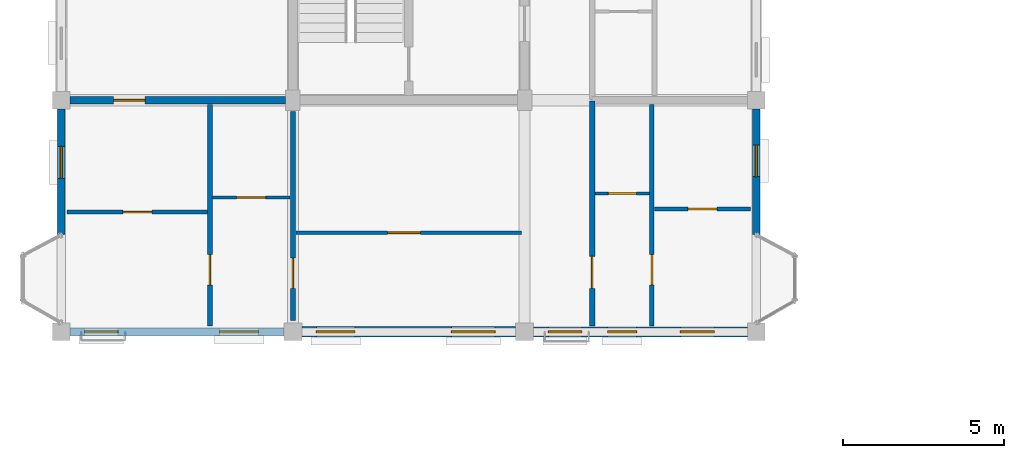
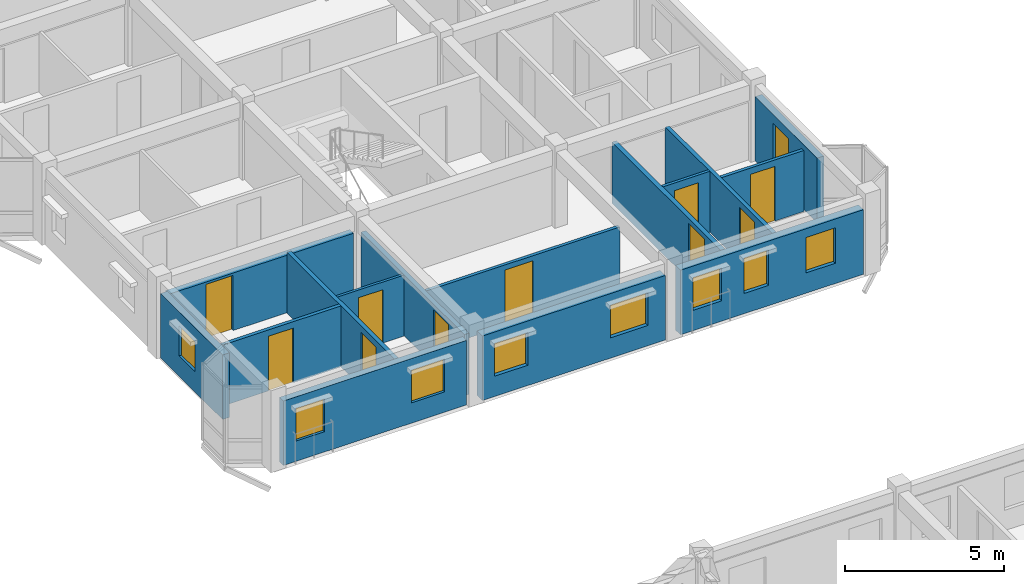
# One storey, part 50 of 75: 15 walls, 10 doors, 9 windows, 19 openings.
"""IFC4 building model written with IfcOpenShell, lengths in metres."""

from ifc_helpers import new_model, si_unit, direction, frame, frame_2d, origin, place, context, subcontext, project, spatial, rectangle, extrude, material, layer, layer_set, type_object, element, fill, save


model = new_model("IFC4")

# Units and contexts
model_context = context("Model", 3, precision=1e-05, world=origin(), true_north=direction((0.0, 1.0)))
body_context = subcontext(model_context, "Body", "Model", "MODEL_VIEW")
ifc_project = project(units=[si_unit("LENGTHUNIT", "METRE"), si_unit("AREAUNIT", "SQUARE_METRE"), si_unit("VOLUMEUNIT", "CUBIC_METRE"), si_unit("PLANEANGLEUNIT", "RADIAN"), si_unit("MASSUNIT", "GRAM", prefix="KILO"), si_unit("THERMODYNAMICTEMPERATUREUNIT", "KELVIN"), si_unit("POWERUNIT", "WATT")], contexts=[model_context])

# Site, building, storey
site_placement = place(None, origin())
site = spatial("IfcSite", under=ifc_project, at=site_placement, CompositionType="ELEMENT")
building_placement = place(site_placement, origin())
building = spatial("IfcBuilding", under=site, at=building_placement, Name="Tavuni Mirador Residences", CompositionType="ELEMENT")
storey_placement = place(building_placement, frame((0.0, 0.0, 20.25)))
storey = spatial("IfcBuildingStorey", under=building, at=storey_placement, Name="L06", CompositionType="ELEMENT", Elevation=20.25)

# Wall, opening, door
ifc_material_1 = material(Name="Precast concrete C40/50", Category="concrete")
ifc_layer_1 = layer(ifc_material_1, 0.1650390625, Name="Precast concrete C40/50", Category="concrete")
ifc_layer_set_1 = layer_set([ifc_layer_1], Name="Precast concrete C40/50")
wall_type_1 = type_object("IfcWallType", Name="WT-CORR165", PredefinedType="PARTITIONING", material=ifc_layer_set_1)
wall_1_placement = place(storey_placement, frame((20.10009765625, 64.97509765625, 0.0), z_axis=(0.0, 0.0, 1.0), x_axis=(0.0, 1.0, 0.0)))
wall_1 = element("IfcWall", 1, at=wall_1_placement, inside=storey, type_object=wall_type_1, Name="CORW-BLK-B-L06-0-00", PredefinedType="PARTITIONING", context=body_context, shape_type="SweptSolid", body=[
    extrude(rectangle(XDim=7.0048828125, YDim=0.1650390625, at=frame_2d((3.50244140625, 0.0))), origin(), (0.0, 0.0, 1.0), 2.344970703125),
])
opening_1_placement = place(wall_1_placement, frame((1.175048828125, 0.0, 0.0)))
opening_1 = element("IfcOpeningElement", 2, at=opening_1_placement, cuts=wall_1, Name="Opening D-03", PredefinedType="OPENING", context=body_context, shape_type="SweptSolid", body=[
    extrude(rectangle(XDim=1.0, YDim=2.14990234375, at=frame_2d((0.5, 1.074951171875))), frame((0.0, 0.092529296875, 0.0), z_axis=(0.0, -1.0, 0.0), x_axis=(1.0, 0.0, 0.0)), (0.0, 0.0, 1.0), 0.18505859375),
])
ifc_material_2 = material(Name="Solid core iroko timber", Category="wood")
door_type_1 = type_object("IfcDoorType", Name="DT-FD60-1000", OperationType="NOTDEFINED", PredefinedType="DOOR", material=ifc_material_2)
door_1_placement = place(opening_1_placement, origin())
door_1 = element("IfcDoor", 3, at=door_1_placement, inside=storey, type_object=door_type_1, Name="DR-2577", OperationType="SINGLE_SWING_RIGHT", OverallHeight=2.14990234375, OverallWidth=1.0, PredefinedType="DOOR", context=body_context, shape_type="SweptSolid", body=[
    extrude(rectangle(XDim=1.0, YDim=2.14990234375, at=frame_2d((0.5, 1.074951171875))), frame((0.0, 0.02490234375, 0.0), z_axis=(0.0, -1.0, 0.0), x_axis=(1.0, 0.0, 0.0)), (0.0, 0.0, 1.0), 0.050048828125),
])
fill(opening_1, door_1)

wall_2_placement = place(storey_placement, frame((10.800048828125, 65.14990234375, 0.0), z_axis=(0.0, 0.0, 1.0), x_axis=(0.0, 1.0, 0.0)))
wall_2 = element("IfcWall", 4, at=wall_2_placement, inside=storey, type_object=wall_type_1, Name="CORW-BLK-B-L06-1-00", PredefinedType="PARTITIONING", context=body_context, shape_type="SweptSolid", body=[
    extrude(rectangle(XDim=6.5, YDim=0.1650390625, at=frame_2d((3.25, 0.0))), origin(), (0.0, 0.0, 1.0), 2.344970703125),
])
opening_2_placement = place(wall_2_placement, frame((1.0, 0.0, 0.0)))
opening_2 = element("IfcOpeningElement", 5, at=opening_2_placement, cuts=wall_2, Name="Opening D-19", PredefinedType="OPENING", context=body_context, shape_type="SweptSolid", body=[
    extrude(rectangle(XDim=0.93994140625, YDim=2.1201171875, at=frame_2d((0.469970703125, 1.06005859375))), frame((0.0, 0.092529296875, 0.0), z_axis=(0.0, -1.0, 0.0), x_axis=(1.0, 0.0, 0.0)), (0.0, 0.0, 1.0), 0.18505859375),
])
door_type_2 = type_object("IfcDoorType", Name="DT-FD60-940", OperationType="NOTDEFINED", PredefinedType="DOOR", material=ifc_material_2)
door_2_placement = place(opening_2_placement, origin())
door_2 = element("IfcDoor", 6, at=door_2_placement, inside=storey, type_object=door_type_2, Name="DR-2581", OperationType="SINGLE_SWING_RIGHT", OverallHeight=2.1201171875, OverallWidth=0.93994140625, PredefinedType="DOOR", context=body_context, shape_type="SweptSolid", body=[
    extrude(rectangle(XDim=0.93994140625, YDim=2.1201171875, at=frame_2d((0.469970703125, 1.06005859375))), frame((0.0, 0.02490234375, 0.0), z_axis=(0.0, -1.0, 0.0), x_axis=(1.0, 0.0, 0.0)), (0.0, 0.0, 1.0), 0.050048828125),
])
fill(opening_2, door_2)

# Wall, openings, windows
ifc_layer_2 = layer(ifc_material_1, 0.330078125, Name="Precast concrete C40/50", Category="concrete")
ifc_layer_set_2 = layer_set([ifc_layer_2], Name="Precast concrete C40/50")
wall_type_2 = type_object("IfcWallType", Name="WT-EXT-COR330", PredefinedType="SOLIDWALL", material=ifc_layer_set_2)
wall_3_placement = place(storey_placement, frame((11.074951171875, 64.800048828125, 0.0), z_axis=(0.0, 0.0, 1.0), x_axis=(1.0, 0.0, 0.0)))
wall_3 = element("IfcWall", 7, at=wall_3_placement, inside=storey, type_object=wall_type_2, Name="EW-BLK-B-L06-S01", PredefinedType="SOLIDWALL", context=body_context, shape_type="SweptSolid", body=[
    extrude(rectangle(XDim=6.650146484375, YDim=0.330078125, at=frame_2d((3.3251953125, 0.0))), origin(), (0.0, 0.0, 1.0), 2.47998046875),
])
opening_3_placement = place(wall_3_placement, frame((0.449951171875, 0.0, 0.780029296875)))
opening_3 = element("IfcOpeningElement", 8, at=opening_3_placement, cuts=wall_3, Name="Opening WN-13", PredefinedType="OPENING", context=body_context, shape_type="SweptSolid", body=[
    extrude(rectangle(XDim=1.199951171875, YDim=1.260009765625, at=frame_2d((0.60009765625, 0.6298828125))), frame((0.0, 0.175048828125, 0.0), z_axis=(0.0, -1.0, 0.0), x_axis=(1.0, 0.0, 0.0)), (0.0, 0.0, 1.0), 0.35009765625),
])
opening_4_placement = place(wall_3_placement, frame((4.64990234375, 0.0, 0.780029296875)))
opening_4 = element("IfcOpeningElement", 9, at=opening_4_placement, cuts=wall_3, Name="Opening WN-15", PredefinedType="OPENING", context=body_context, shape_type="SweptSolid", body=[
    extrude(rectangle(XDim=1.360107421875, YDim=1.260009765625, at=frame_2d((0.68017578125, 0.6298828125))), frame((0.0, 0.175048828125, 0.0), z_axis=(0.0, -1.0, 0.0), x_axis=(1.0, 0.0, 0.0)), (0.0, 0.0, 1.0), 0.35009765625),
])
ifc_material_3 = material(Name="Laminated solar-control glass", Category="glass")
window_type_1 = type_object("IfcWindowType", Name="WNT-13", PartitioningType="SINGLE_PANEL", PredefinedType="WINDOW", material=ifc_material_3)
window_1_placement = place(opening_3_placement, origin())
window_1 = element("IfcWindow", 10, at=window_1_placement, inside=storey, type_object=window_type_1, Name="WIN-0726", OverallHeight=1.260009765625, OverallWidth=1.199951171875, PartitioningType="SINGLE_PANEL", PredefinedType="WINDOW", context=body_context, shape_type="SweptSolid", body=[
    extrude(rectangle(XDim=1.199951171875, YDim=1.260009765625, at=frame_2d((0.60009765625, 0.6298828125))), frame((0.0, 0.030029296875, 0.0), z_axis=(0.0, -1.0, 0.0), x_axis=(1.0, 0.0, 0.0)), (0.0, 0.0, 1.0), 0.06005859375),
])
fill(opening_3, window_1)
window_type_2 = type_object("IfcWindowType", Name="WNT-15", PartitioningType="SINGLE_PANEL", PredefinedType="WINDOW", material=ifc_material_3)
window_2_placement = place(opening_4_placement, origin())
window_2 = element("IfcWindow", 11, at=window_2_placement, inside=storey, type_object=window_type_2, Name="WIN-0727", OverallHeight=1.260009765625, OverallWidth=1.360107421875, PartitioningType="SINGLE_PANEL", PredefinedType="WINDOW", context=body_context, shape_type="SweptSolid", body=[
    extrude(rectangle(XDim=1.360107421875, YDim=1.260009765625, at=frame_2d((0.68017578125, 0.6298828125))), frame((0.0, 0.030029296875, 0.0), z_axis=(0.0, -1.0, 0.0), x_axis=(1.0, 0.0, 0.0)), (0.0, 0.0, 1.0), 0.06005859375),
])
fill(opening_4, window_2)

ifc_material_4 = material(Name="Sgraffito lime-rendered precast concrete C40/50", Category="concrete")
ifc_layer_3 = layer(ifc_material_4, 0.2451171875, Name="Sgraffito lime-rendered precast concrete C40/50", Category="concrete")
ifc_layer_set_3 = layer_set([ifc_layer_3], Name="Sgraffito lime-rendered precast concrete C40/50")
wall_type_3 = type_object("IfcWallType", Name="WT-EXT-PC245", PredefinedType="SOLIDWALL", material=ifc_layer_set_3)
wall_4_placement = place(storey_placement, frame((3.875, 64.800048828125, 0.0), z_axis=(0.0, 0.0, 1.0), x_axis=(1.0, 0.0, 0.0)))
wall_4 = element("IfcWall", 12, at=wall_4_placement, inside=storey, type_object=wall_type_3, Name="EW-BLK-B-L06-S00", PredefinedType="SOLIDWALL", context=body_context, shape_type="SweptSolid", body=[
    extrude(rectangle(XDim=6.64990234375, YDim=0.2451171875, at=frame_2d((3.324951171875, 0.0))), origin(), (0.0, 0.0, 1.0), 2.47998046875),
])
opening_5_placement = place(wall_4_placement, frame((0.449951171875, 0.0, 0.780029296875)))
opening_5 = element("IfcOpeningElement", 13, at=opening_5_placement, cuts=wall_4, Name="Opening WN-11", PredefinedType="OPENING", context=body_context, shape_type="SweptSolid", body=[
    extrude(rectangle(XDim=1.0400390625, YDim=1.260009765625, at=frame_2d((0.52001953125, 0.6298828125))), frame((0.0, 0.132568359375, 0.0), z_axis=(0.0, -1.0, 0.0), x_axis=(1.0, 0.0, 0.0)), (0.0, 0.0, 1.0), 0.26513671875),
])
opening_6_placement = place(wall_4_placement, frame((4.64990234375, 0.0, 0.780029296875)))
opening_6 = element("IfcOpeningElement", 14, at=opening_6_placement, cuts=wall_4, Name="Opening WN-13", PredefinedType="OPENING", context=body_context, shape_type="SweptSolid", body=[
    extrude(rectangle(XDim=1.199951171875, YDim=1.260009765625, at=frame_2d((0.60009765625, 0.6298828125))), frame((0.0, 0.132568359375, 0.0), z_axis=(0.0, -1.0, 0.0), x_axis=(1.0, 0.0, 0.0)), (0.0, 0.0, 1.0), 0.26513671875),
])
window_type_3 = type_object("IfcWindowType", Name="WNT-11", PartitioningType="SINGLE_PANEL", PredefinedType="WINDOW", material=ifc_material_3)
window_3_placement = place(opening_5_placement, origin())
window_3 = element("IfcWindow", 15, at=window_3_placement, inside=storey, type_object=window_type_3, Name="WIN-0724", OverallHeight=1.260009765625, OverallWidth=1.0400390625, PartitioningType="SINGLE_PANEL", PredefinedType="WINDOW", context=body_context, shape_type="SweptSolid", body=[
    extrude(rectangle(XDim=1.0400390625, YDim=1.260009765625, at=frame_2d((0.52001953125, 0.6298828125))), frame((0.0, 0.030029296875, 0.0), z_axis=(0.0, -1.0, 0.0), x_axis=(1.0, 0.0, 0.0)), (0.0, 0.0, 1.0), 0.06005859375),
])
fill(opening_5, window_3)
window_4_placement = place(opening_6_placement, origin())
window_4 = element("IfcWindow", 16, at=window_4_placement, inside=storey, type_object=window_type_1, Name="WIN-0725", OverallHeight=1.260009765625, OverallWidth=1.199951171875, PartitioningType="SINGLE_PANEL", PredefinedType="WINDOW", context=body_context, shape_type="SweptSolid", body=[
    extrude(rectangle(XDim=1.199951171875, YDim=1.260009765625, at=frame_2d((0.60009765625, 0.6298828125))), frame((0.0, 0.030029296875, 0.0), z_axis=(0.0, -1.0, 0.0), x_axis=(1.0, 0.0, 0.0)), (0.0, 0.0, 1.0), 0.06005859375),
])
fill(opening_6, window_4)

# Wall, opening, window
wall_5_placement = place(storey_placement, frame((25.199951171875, 67.820068359375, 0.0), z_axis=(0.0, 0.0, 1.0), x_axis=(0.0, 1.0, 0.0)))
wall_5 = element("IfcWall", 17, at=wall_5_placement, inside=storey, type_object=wall_type_3, Name="EW-BLK-B-L06-E00", PredefinedType="SOLIDWALL", context=body_context, shape_type="SweptSolid", body=[
    extrude(rectangle(XDim=3.905029296875, YDim=0.2451171875, at=frame_2d((1.95263671875, 0.0))), origin(), (0.0, 0.0, 1.0), 2.47998046875),
])
opening_7_placement = place(wall_5_placement, frame((1.8076171875, 0.0, 0.780029296875)))
opening_7 = element("IfcOpeningElement", 18, at=opening_7_placement, cuts=wall_5, Name="Opening WN-18", PredefinedType="OPENING", context=body_context, shape_type="SweptSolid", body=[
    extrude(rectangle(XDim=0.97998046875, YDim=1.360107421875, at=frame_2d((0.489990234375, 0.68017578125))), frame((0.0, 0.132568359375, 0.0), z_axis=(0.0, -1.0, 0.0), x_axis=(1.0, 0.0, 0.0)), (0.0, 0.0, 1.0), 0.26513671875),
])
window_type_4 = type_object("IfcWindowType", Name="WNT-18", PartitioningType="SINGLE_PANEL", PredefinedType="WINDOW", material=ifc_material_3)
window_5_placement = place(opening_7_placement, origin())
window_5 = element("IfcWindow", 19, at=window_5_placement, inside=storey, type_object=window_type_4, Name="WIN-0731", OverallHeight=1.360107421875, OverallWidth=0.97998046875, PartitioningType="SINGLE_PANEL", PredefinedType="WINDOW", context=body_context, shape_type="SweptSolid", body=[
    extrude(rectangle(XDim=0.97998046875, YDim=1.360107421875, at=frame_2d((0.489990234375, 0.68017578125))), frame((0.0, 0.030029296875, 0.0), z_axis=(0.0, -1.0, 0.0), x_axis=(1.0, 0.0, 0.0)), (0.0, 0.0, 1.0), 0.06005859375),
])
fill(opening_7, window_5)

wall_6_placement = place(storey_placement, frame((3.60009765625, 71.72509765625, 0.0), z_axis=(0.0, 0.0, 1.0), x_axis=(0.0, -1.0, 0.0)))
wall_6 = element("IfcWall", 20, at=wall_6_placement, inside=storey, type_object=wall_type_3, Name="EW-BLK-B-L06-W00", PredefinedType="SOLIDWALL", context=body_context, shape_type="SweptSolid", body=[
    extrude(rectangle(XDim=3.905029296875, YDim=0.2451171875, at=frame_2d((1.95263671875, 0.0))), origin(), (0.0, 0.0, 1.0), 2.47998046875),
])
opening_8_placement = place(wall_6_placement, frame((1.157470703125, 0.0, 0.780029296875)))
opening_8 = element("IfcOpeningElement", 21, at=opening_8_placement, cuts=wall_6, Name="Opening WN-03", PredefinedType="OPENING", context=body_context, shape_type="SweptSolid", body=[
    extrude(rectangle(XDim=1.0, YDim=1.14990234375, at=frame_2d((0.5, 0.574951171875))), frame((0.0, 0.132568359375, 0.0), z_axis=(0.0, -1.0, 0.0), x_axis=(1.0, 0.0, 0.0)), (0.0, 0.0, 1.0), 0.26513671875),
])
window_type_5 = type_object("IfcWindowType", Name="WNT-03", PartitioningType="SINGLE_PANEL", PredefinedType="WINDOW", material=ifc_material_3)
window_6_placement = place(opening_8_placement, origin())
window_6 = element("IfcWindow", 22, at=window_6_placement, inside=storey, type_object=window_type_5, Name="WIN-0746", OverallHeight=1.14990234375, OverallWidth=1.0, PartitioningType="SINGLE_PANEL", PredefinedType="WINDOW", context=body_context, shape_type="SweptSolid", body=[
    extrude(rectangle(XDim=1.0, YDim=1.14990234375, at=frame_2d((0.5, 0.574951171875))), frame((0.0, 0.030029296875, 0.0), z_axis=(0.0, -1.0, 0.0), x_axis=(1.0, 0.0, 0.0)), (0.0, 0.0, 1.0), 0.06005859375),
])
fill(opening_8, window_6)

# Wall, openings, windows
ifc_layer_4 = layer(ifc_material_4, 0.31494140625, Name="Sgraffito lime-rendered precast concrete C40/50", Category="concrete")
ifc_layer_set_4 = layer_set([ifc_layer_4], Name="Sgraffito lime-rendered precast concrete C40/50")
wall_type_4 = type_object("IfcWallType", Name="WT-EXT-PC315", PredefinedType="SOLIDWALL", material=ifc_layer_set_4)
wall_7_placement = place(storey_placement, frame((18.27490234375, 64.800048828125, 0.0), z_axis=(0.0, 0.0, 1.0), x_axis=(1.0, 0.0, 0.0)))
wall_7 = element("IfcWall", 23, at=wall_7_placement, inside=storey, type_object=wall_type_4, Name="EW-BLK-B-L06-S02", PredefinedType="SOLIDWALL", context=body_context, shape_type="SweptSolid", body=[
    extrude(rectangle(XDim=6.650146484375, YDim=0.31494140625, at=frame_2d((3.3251953125, 0.0))), origin(), (0.0, 0.0, 1.0), 2.47998046875),
])
opening_9_placement = place(wall_7_placement, frame((0.46240234375, 0.0, 0.780029296875)))
opening_9 = element("IfcOpeningElement", 24, at=opening_9_placement, cuts=wall_7, Name="Opening WN-11", PredefinedType="OPENING", context=body_context, shape_type="SweptSolid", body=[
    extrude(rectangle(XDim=1.0400390625, YDim=1.260009765625, at=frame_2d((0.52001953125, 0.6298828125))), frame((0.0, 0.16748046875, 0.0), z_axis=(0.0, -1.0, 0.0), x_axis=(1.0, 0.0, 0.0)), (0.0, 0.0, 1.0), 0.3349609375),
])
opening_10_placement = place(wall_7_placement, frame((2.304931640625, 0.0, 0.780029296875)))
opening_10 = element("IfcOpeningElement", 25, at=opening_10_placement, cuts=wall_7, Name="Opening WN-17", PredefinedType="OPENING", context=body_context, shape_type="SweptSolid", body=[
    extrude(rectangle(XDim=0.89990234375, YDim=1.360107421875, at=frame_2d((0.449951171875, 0.68017578125))), frame((0.0, 0.16748046875, 0.0), z_axis=(0.0, -1.0, 0.0), x_axis=(1.0, 0.0, 0.0)), (0.0, 0.0, 1.0), 0.3349609375),
])
opening_11_placement = place(wall_7_placement, frame((4.5673828125, 0.0, 0.780029296875)))
opening_11 = element("IfcOpeningElement", 26, at=opening_11_placement, cuts=wall_7, Name="Opening WN-19", PredefinedType="OPENING", context=body_context, shape_type="SweptSolid", body=[
    extrude(rectangle(XDim=1.06005859375, YDim=1.360107421875, at=frame_2d((0.530029296875, 0.68017578125))), frame((0.0, 0.16748046875, 0.0), z_axis=(0.0, -1.0, 0.0), x_axis=(1.0, 0.0, 0.0)), (0.0, 0.0, 1.0), 0.3349609375),
])
window_7_placement = place(opening_9_placement, origin())
window_7 = element("IfcWindow", 27, at=window_7_placement, inside=storey, type_object=window_type_3, Name="WIN-0728", OverallHeight=1.260009765625, OverallWidth=1.0400390625, PartitioningType="SINGLE_PANEL", PredefinedType="WINDOW", context=body_context, shape_type="SweptSolid", body=[
    extrude(rectangle(XDim=1.0400390625, YDim=1.260009765625, at=frame_2d((0.52001953125, 0.6298828125))), frame((0.0, 0.030029296875, 0.0), z_axis=(0.0, -1.0, 0.0), x_axis=(1.0, 0.0, 0.0)), (0.0, 0.0, 1.0), 0.06005859375),
])
fill(opening_9, window_7)
window_type_6 = type_object("IfcWindowType", Name="WNT-17", PartitioningType="SINGLE_PANEL", PredefinedType="WINDOW", material=ifc_material_3)
window_8_placement = place(opening_10_placement, origin())
window_8 = element("IfcWindow", 28, at=window_8_placement, inside=storey, type_object=window_type_6, Name="WIN-0729", OverallHeight=1.360107421875, OverallWidth=0.89990234375, PartitioningType="SINGLE_PANEL", PredefinedType="WINDOW", context=body_context, shape_type="SweptSolid", body=[
    extrude(rectangle(XDim=0.89990234375, YDim=1.360107421875, at=frame_2d((0.449951171875, 0.68017578125))), frame((0.0, 0.030029296875, 0.0), z_axis=(0.0, -1.0, 0.0), x_axis=(1.0, 0.0, 0.0)), (0.0, 0.0, 1.0), 0.06005859375),
])
fill(opening_10, window_8)
window_type_7 = type_object("IfcWindowType", Name="WNT-19", PartitioningType="SINGLE_PANEL", PredefinedType="WINDOW", material=ifc_material_3)
window_9_placement = place(opening_11_placement, origin())
window_9 = element("IfcWindow", 29, at=window_9_placement, inside=storey, type_object=window_type_7, Name="WIN-0730", OverallHeight=1.360107421875, OverallWidth=1.06005859375, PartitioningType="SINGLE_PANEL", PredefinedType="WINDOW", context=body_context, shape_type="SweptSolid", body=[
    extrude(rectangle(XDim=1.06005859375, YDim=1.360107421875, at=frame_2d((0.530029296875, 0.68017578125))), frame((0.0, 0.030029296875, 0.0), z_axis=(0.0, -1.0, 0.0), x_axis=(1.0, 0.0, 0.0)), (0.0, 0.0, 1.0), 0.06005859375),
])
fill(opening_11, window_9)

# Wall, opening, door
ifc_material_5 = material(Name="Acoustic gypsum and concrete block partition", Category="concrete")
ifc_layer_5 = layer(ifc_material_5, 0.094970703125, Name="Acoustic gypsum and concrete block partition", Category="concrete")
ifc_layer_set_5 = layer_set([ifc_layer_5], Name="Acoustic gypsum and concrete block partition")
wall_type_5 = type_object("IfcWallType", Name="WT-PART095", PredefinedType="PARTITIONING", material=ifc_layer_set_5)
wall_8_placement = place(storey_placement, frame((8.2900390625, 68.97998046875, 0.0), z_axis=(0.0, 0.0, 1.0), x_axis=(1.0, 0.0, 0.0)))
wall_8 = element("IfcWall", 30, at=wall_8_placement, inside=storey, type_object=wall_type_5, Name="PW-BLK-B-L06-W00-IN1", PredefinedType="PARTITIONING", context=body_context, shape_type="SweptSolid", body=[
    extrude(rectangle(XDim=2.419921875, YDim=0.094970703125, at=frame_2d((1.2099609375, 0.0))), origin(), (0.0, 0.0, 1.0), 2.344970703125),
])
opening_12_placement = place(wall_8_placement, frame((0.760009765625, 0.0, 0.0)))
opening_12 = element("IfcOpeningElement", 31, at=opening_12_placement, cuts=wall_8, Name="Opening D-09", PredefinedType="OPENING", context=body_context, shape_type="SweptSolid", body=[
    extrude(rectangle(XDim=0.89990234375, YDim=2.050048828125, at=frame_2d((0.449951171875, 1.02490234375))), frame((0.0, 0.0576171875, 0.0), z_axis=(0.0, -1.0, 0.0), x_axis=(1.0, 0.0, 0.0)), (0.0, 0.0, 1.0), 0.114990234375),
])
door_type_3 = type_object("IfcDoorType", Name="DT-WC900", OperationType="NOTDEFINED", PredefinedType="DOOR", material=ifc_material_2)
door_3_placement = place(opening_12_placement, origin())
door_3 = element("IfcDoor", 32, at=door_3_placement, inside=storey, type_object=door_type_3, Name="DR-3584", OperationType="SINGLE_SWING_RIGHT", OverallHeight=2.050048828125, OverallWidth=0.89990234375, PredefinedType="DOOR", context=body_context, shape_type="SweptSolid", body=[
    extrude(rectangle(XDim=0.89990234375, YDim=2.050048828125, at=frame_2d((0.449951171875, 1.02490234375))), frame((0.0, 0.02490234375, 0.0), z_axis=(0.0, -1.0, 0.0), x_axis=(1.0, 0.0, 0.0)), (0.0, 0.0, 1.0), 0.050048828125),
])
fill(opening_12, door_3)

ifc_layer_6 = layer(ifc_material_5, 0.10498046875, Name="Acoustic gypsum and concrete block partition", Category="concrete")
ifc_layer_set_6 = layer_set([ifc_layer_6], Name="Acoustic gypsum and concrete block partition")
wall_type_6 = type_object("IfcWallType", Name="WT-PART105", PredefinedType="PARTITIONING", material=ifc_layer_set_6)
wall_9_placement = place(storey_placement, frame((20.18994140625, 69.10009765625, 0.0), z_axis=(0.0, 0.0, 1.0), x_axis=(1.0, 0.0, 0.0)))
wall_9 = element("IfcWall", 33, at=wall_9_placement, inside=storey, type_object=wall_type_6, Name="PW-BLK-B-L06-E00-IN1", PredefinedType="PARTITIONING", context=body_context, shape_type="SweptSolid", body=[
    extrude(rectangle(XDim=1.699951171875, YDim=0.10498046875, at=frame_2d((0.85009765625, 0.0))), origin(), (0.0, 0.0, 1.0), 2.344970703125),
])
opening_13_placement = place(wall_9_placement, frame((0.4150390625, 0.0, 0.0)))
opening_13 = element("IfcOpeningElement", 34, at=opening_13_placement, cuts=wall_9, Name="Opening D-10", PredefinedType="OPENING", context=body_context, shape_type="SweptSolid", body=[
    extrude(rectangle(XDim=0.8701171875, YDim=2.050048828125, at=frame_2d((0.43505859375, 1.02490234375))), frame((0.0, 0.0625, 0.0), z_axis=(0.0, -1.0, 0.0), x_axis=(1.0, 0.0, 0.0)), (0.0, 0.0, 1.0), 0.125),
])
door_type_4 = type_object("IfcDoorType", Name="DT-WC870", OperationType="NOTDEFINED", PredefinedType="DOOR", material=ifc_material_2)
door_4_placement = place(opening_13_placement, origin())
door_4 = element("IfcDoor", 35, at=door_4_placement, inside=storey, type_object=door_type_4, Name="DR-3587", OperationType="SINGLE_SWING_RIGHT", OverallHeight=2.050048828125, OverallWidth=0.8701171875, PredefinedType="DOOR", context=body_context, shape_type="SweptSolid", body=[
    extrude(rectangle(XDim=0.8701171875, YDim=2.050048828125, at=frame_2d((0.43505859375, 1.02490234375))), frame((0.0, 0.02490234375, 0.0), z_axis=(0.0, -1.0, 0.0), x_axis=(1.0, 0.0, 0.0)), (0.0, 0.0, 1.0), 0.050048828125),
])
fill(opening_13, door_4)

ifc_layer_7 = layer(ifc_material_5, 0.114990234375, Name="Acoustic gypsum and concrete block partition", Category="concrete")
ifc_layer_set_7 = layer_set([ifc_layer_7], Name="Acoustic gypsum and concrete block partition")
wall_type_7 = type_object("IfcWallType", Name="WT-PART115", PredefinedType="PARTITIONING", material=ifc_layer_set_7)
wall_10_placement = place(storey_placement, frame((10.889892578125, 67.8798828125, 0.0), z_axis=(0.0, 0.0, 1.0), x_axis=(1.0, 0.0, 0.0)))
wall_10 = element("IfcWall", 36, at=wall_10_placement, inside=storey, type_object=wall_type_7, Name="PW-SPN-BLK-B-L06-00", PredefinedType="PARTITIONING", context=body_context, shape_type="SweptSolid", body=[
    extrude(rectangle(XDim=7.02001953125, YDim=0.114990234375, at=frame_2d((3.510009765625, 0.0))), origin(), (0.0, 0.0, 1.0), 2.344970703125),
])
opening_14_placement = place(wall_10_placement, frame((2.85009765625, 0.0, 0.0)))
opening_14 = element("IfcOpeningElement", 37, at=opening_14_placement, cuts=wall_10, Name="Opening D-13", PredefinedType="OPENING", context=body_context, shape_type="SweptSolid", body=[
    extrude(rectangle(XDim=1.02001953125, YDim=2.14990234375, at=frame_2d((0.510009765625, 1.074951171875))), frame((0.0, 0.0673828125, 0.0), z_axis=(0.0, -1.0, 0.0), x_axis=(1.0, 0.0, 0.0)), (0.0, 0.0, 1.0), 0.135009765625),
])
door_type_5 = type_object("IfcDoorType", Name="DT-MTG1020", OperationType="NOTDEFINED", PredefinedType="DOOR", material=ifc_material_2)
door_5_placement = place(opening_14_placement, origin())
door_5 = element("IfcDoor", 38, at=door_5_placement, inside=storey, type_object=door_type_5, Name="DR-3582", OperationType="SINGLE_SWING_LEFT", OverallHeight=2.14990234375, OverallWidth=1.02001953125, PredefinedType="DOOR", context=body_context, shape_type="SweptSolid", body=[
    extrude(rectangle(XDim=1.02001953125, YDim=2.14990234375, at=frame_2d((0.510009765625, 1.074951171875))), frame((0.0, 0.02490234375, 0.0), z_axis=(0.0, -1.0, 0.0), x_axis=(1.0, 0.0, 0.0)), (0.0, 0.0, 1.0), 0.050048828125),
])
fill(opening_14, door_5)

wall_11_placement = place(storey_placement, frame((22.030029296875, 68.6201171875, 0.0), z_axis=(0.0, 0.0, 1.0), x_axis=(1.0, 0.0, 0.0)))
wall_11 = element("IfcWall", 39, at=wall_11_placement, inside=storey, type_object=wall_type_7, Name="PW-BLK-B-L06-E00-OUT", PredefinedType="PARTITIONING", context=body_context, shape_type="SweptSolid", body=[
    extrude(rectangle(XDim=2.994873046875, YDim=0.114990234375, at=frame_2d((1.49755859375, 0.0))), origin(), (0.0, 0.0, 1.0), 2.344970703125),
])
opening_15_placement = place(wall_11_placement, frame((1.047607421875, 0.0, 0.0)))
opening_15 = element("IfcOpeningElement", 40, at=opening_15_placement, cuts=wall_11, Name="Opening D-07", PredefinedType="OPENING", context=body_context, shape_type="SweptSolid", body=[
    extrude(rectangle(XDim=0.89990234375, YDim=2.10009765625, at=frame_2d((0.449951171875, 1.050048828125))), frame((0.0, 0.0673828125, 0.0), z_axis=(0.0, -1.0, 0.0), x_axis=(1.0, 0.0, 0.0)), (0.0, 0.0, 1.0), 0.135009765625),
])
door_type_6 = type_object("IfcDoorType", Name="DT-BED900", OperationType="NOTDEFINED", PredefinedType="DOOR", material=ifc_material_2)
door_6_placement = place(opening_15_placement, origin())
door_6 = element("IfcDoor", 41, at=door_6_placement, inside=storey, type_object=door_type_6, Name="DR-3586", OperationType="SINGLE_SWING_LEFT", OverallHeight=2.10009765625, OverallWidth=0.89990234375, PredefinedType="DOOR", context=body_context, shape_type="SweptSolid", body=[
    extrude(rectangle(XDim=0.89990234375, YDim=2.10009765625, at=frame_2d((0.449951171875, 1.050048828125))), frame((0.0, 0.02490234375, 0.0), z_axis=(0.0, -1.0, 0.0), x_axis=(1.0, 0.0, 0.0)), (0.0, 0.0, 1.0), 0.050048828125),
])
fill(opening_15, door_6)

ifc_layer_8 = layer(ifc_material_5, 0.125, Name="Acoustic gypsum and concrete block partition", Category="concrete")
ifc_layer_set_8 = layer_set([ifc_layer_8], Name="Acoustic gypsum and concrete block partition")
wall_type_8 = type_object("IfcWallType", Name="WT-PART125", PredefinedType="PARTITIONING", material=ifc_layer_set_8)
wall_12_placement = place(storey_placement, frame((3.77490234375, 68.52001953125, 0.0), z_axis=(0.0, 0.0, 1.0), x_axis=(1.0, 0.0, 0.0)))
wall_12 = element("IfcWall", 42, at=wall_12_placement, inside=storey, type_object=wall_type_8, Name="PW-BLK-B-L06-W00-OUT", PredefinedType="PARTITIONING", context=body_context, shape_type="SweptSolid", body=[
    extrude(rectangle(XDim=4.375, YDim=0.125, at=frame_2d((2.1875, 0.0))), origin(), (0.0, 0.0, 1.0), 2.344970703125),
])
opening_16_placement = place(wall_12_placement, frame((1.737548828125, 0.0, 0.0)))
opening_16 = element("IfcOpeningElement", 43, at=opening_16_placement, cuts=wall_12, Name="Opening D-07", PredefinedType="OPENING", context=body_context, shape_type="SweptSolid", body=[
    extrude(rectangle(XDim=0.89990234375, YDim=2.10009765625, at=frame_2d((0.449951171875, 1.050048828125))), frame((0.0, 0.072509765625, 0.0), z_axis=(0.0, -1.0, 0.0), x_axis=(1.0, 0.0, 0.0)), (0.0, 0.0, 1.0), 0.14501953125),
])
door_7_placement = place(opening_16_placement, origin())
door_7 = element("IfcDoor", 44, at=door_7_placement, inside=storey, type_object=door_type_6, Name="DR-3583", OperationType="SINGLE_SWING_LEFT", OverallHeight=2.10009765625, OverallWidth=0.89990234375, PredefinedType="DOOR", context=body_context, shape_type="SweptSolid", body=[
    extrude(rectangle(XDim=0.89990234375, YDim=2.10009765625, at=frame_2d((0.449951171875, 1.050048828125))), frame((0.0, 0.02490234375, 0.0), z_axis=(0.0, -1.0, 0.0), x_axis=(1.0, 0.0, 0.0)), (0.0, 0.0, 1.0), 0.050048828125),
])
fill(opening_16, door_7)

ifc_layer_9 = layer(ifc_material_5, 0.139892578125, Name="Acoustic gypsum and concrete block partition", Category="concrete")
ifc_layer_set_9 = layer_set([ifc_layer_9], Name="Acoustic gypsum and concrete block partition")
wall_type_9 = type_object("IfcWallType", Name="WT-PART140", PredefinedType="PARTITIONING", material=ifc_layer_set_9)
wall_13_placement = place(storey_placement, frame((21.9599609375, 64.97509765625, 0.0), z_axis=(0.0, 0.0, 1.0), x_axis=(0.0, 1.0, 0.0)))
wall_13 = element("IfcWall", 45, at=wall_13_placement, inside=storey, type_object=wall_type_9, Name="PW-BLK-B-L06-E00-MID", PredefinedType="PARTITIONING", context=body_context, shape_type="SweptSolid", body=[
    extrude(rectangle(XDim=6.885009765625, YDim=0.139892578125, at=frame_2d((3.4423828125, 0.0))), origin(), (0.0, 0.0, 1.0), 2.344970703125),
])
opening_17_placement = place(wall_13_placement, frame((1.27490234375, 0.0, 0.0)))
opening_17 = element("IfcOpeningElement", 46, at=opening_17_placement, cuts=wall_13, Name="Opening D-05", PredefinedType="OPENING", context=body_context, shape_type="SweptSolid", body=[
    extrude(rectangle(XDim=0.949951171875, YDim=2.10009765625, at=frame_2d((0.47509765625, 1.050048828125))), frame((0.0, 0.080078125, 0.0), z_axis=(0.0, -1.0, 0.0), x_axis=(1.0, 0.0, 0.0)), (0.0, 0.0, 1.0), 0.159912109375),
])
door_type_7 = type_object("IfcDoorType", Name="DT-INT950", OperationType="NOTDEFINED", PredefinedType="DOOR", material=ifc_material_2)
door_8_placement = place(opening_17_placement, origin())
door_8 = element("IfcDoor", 47, at=door_8_placement, inside=storey, type_object=door_type_7, Name="DR-3588", OperationType="SINGLE_SWING_LEFT", OverallHeight=2.10009765625, OverallWidth=0.949951171875, PredefinedType="DOOR", context=body_context, shape_type="SweptSolid", body=[
    extrude(rectangle(XDim=0.949951171875, YDim=2.10009765625, at=frame_2d((0.47509765625, 1.050048828125))), frame((0.0, 0.02490234375, 0.0), z_axis=(0.0, -1.0, 0.0), x_axis=(1.0, 0.0, 0.0)), (0.0, 0.0, 1.0), 0.050048828125),
])
fill(opening_17, door_8)

ifc_layer_10 = layer(ifc_material_5, 0.14990234375, Name="Acoustic gypsum and concrete block partition", Category="concrete")
ifc_layer_set_10 = layer_set([ifc_layer_10], Name="Acoustic gypsum and concrete block partition")
wall_type_10 = type_object("IfcWallType", Name="WT-PART150", PredefinedType="PARTITIONING", material=ifc_layer_set_10)
wall_14_placement = place(storey_placement, frame((8.219970703125, 64.97509765625, 0.0), z_axis=(0.0, 0.0, 1.0), x_axis=(0.0, 1.0, 0.0)))
wall_14 = element("IfcWall", 48, at=wall_14_placement, inside=storey, type_object=wall_type_10, Name="PW-BLK-B-L06-W00-MID", PredefinedType="PARTITIONING", context=body_context, shape_type="SweptSolid", body=[
    extrude(rectangle(XDim=6.885009765625, YDim=0.14990234375, at=frame_2d((3.4423828125, 0.0))), origin(), (0.0, 0.0, 1.0), 2.344970703125),
])
opening_18_placement = place(wall_14_placement, frame((1.27490234375, 0.0, 0.0)))
opening_18 = element("IfcOpeningElement", 49, at=opening_18_placement, cuts=wall_14, Name="Opening D-05", PredefinedType="OPENING", context=body_context, shape_type="SweptSolid", body=[
    extrude(rectangle(XDim=0.949951171875, YDim=2.10009765625, at=frame_2d((0.47509765625, 1.050048828125))), frame((0.0, 0.0849609375, 0.0), z_axis=(0.0, -1.0, 0.0), x_axis=(1.0, 0.0, 0.0)), (0.0, 0.0, 1.0), 0.169921875),
])
door_9_placement = place(opening_18_placement, origin())
door_9 = element("IfcDoor", 50, at=door_9_placement, inside=storey, type_object=door_type_7, Name="DR-3585", OperationType="SINGLE_SWING_LEFT", OverallHeight=2.10009765625, OverallWidth=0.949951171875, PredefinedType="DOOR", context=body_context, shape_type="SweptSolid", body=[
    extrude(rectangle(XDim=0.949951171875, YDim=2.10009765625, at=frame_2d((0.47509765625, 1.050048828125))), frame((0.0, 0.02490234375, 0.0), z_axis=(0.0, -1.0, 0.0), x_axis=(1.0, 0.0, 0.0)), (0.0, 0.0, 1.0), 0.050048828125),
])
fill(opening_18, door_9)

ifc_layer_11 = layer(ifc_material_1, 0.235107421875, Name="Precast concrete C40/50", Category="concrete")
ifc_layer_set_11 = layer_set([ifc_layer_11], Name="Precast concrete C40/50")
wall_type_11 = type_object("IfcWallType", Name="WT-XW235", PredefinedType="SOLIDWALL", material=ifc_layer_set_11)
wall_15_placement = place(storey_placement, frame((3.875, 72.0, 0.0), z_axis=(0.0, 0.0, 1.0), x_axis=(1.0, 0.0, 0.0)))
wall_15 = element("IfcWall", 51, at=wall_15_placement, inside=storey, type_object=wall_type_11, Name="XW-BLK-B-L06-W-01", PredefinedType="SOLIDWALL", context=body_context, shape_type="SweptSolid", body=[
    extrude(rectangle(XDim=6.699951171875, YDim=0.235107421875, at=frame_2d((3.35009765625, 0.0))), origin(), (0.0, 0.0, 1.0), 2.2099609375),
])
opening_19_placement = place(wall_15_placement, frame((1.35009765625, 0.0, 0.0)))
opening_19 = element("IfcOpeningElement", 52, at=opening_19_placement, cuts=wall_15, Name="Opening D-04", PredefinedType="OPENING", context=body_context, shape_type="SweptSolid", body=[
    extrude(rectangle(XDim=0.97998046875, YDim=2.1201171875, at=frame_2d((0.489990234375, 1.06005859375))), frame((0.0, 0.12744140625, 0.0), z_axis=(0.0, -1.0, 0.0), x_axis=(1.0, 0.0, 0.0)), (0.0, 0.0, 1.0), 0.255126953125),
])
door_type_8 = type_object("IfcDoorType", Name="DT-FD60-980", OperationType="NOTDEFINED", PredefinedType="DOOR", material=ifc_material_2)
door_10_placement = place(opening_19_placement, origin())
door_10 = element("IfcDoor", 53, at=door_10_placement, inside=storey, type_object=door_type_8, Name="DR-4720", OperationType="SINGLE_SWING_LEFT", OverallHeight=2.1201171875, OverallWidth=0.97998046875, PredefinedType="DOOR", context=body_context, shape_type="SweptSolid", body=[
    extrude(rectangle(XDim=0.97998046875, YDim=2.1201171875, at=frame_2d((0.489990234375, 1.06005859375))), frame((0.0, 0.02490234375, 0.0), z_axis=(0.0, -1.0, 0.0), x_axis=(1.0, 0.0, 0.0)), (0.0, 0.0, 1.0), 0.050048828125),
])
fill(opening_19, door_10)

save(model, "model.ifc")
